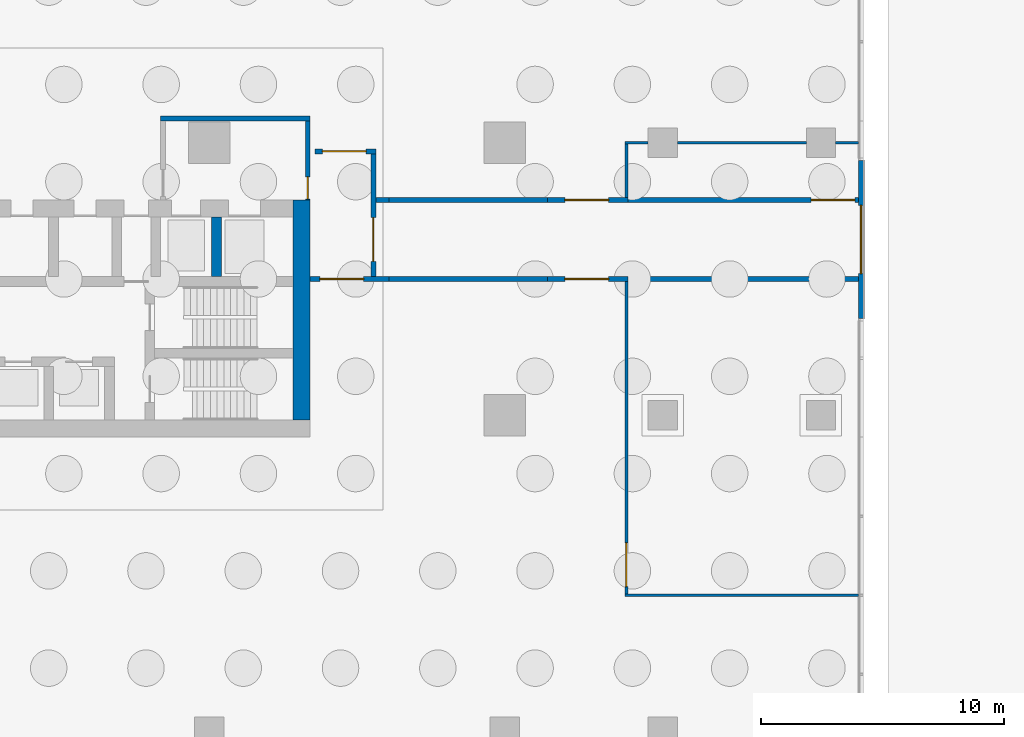
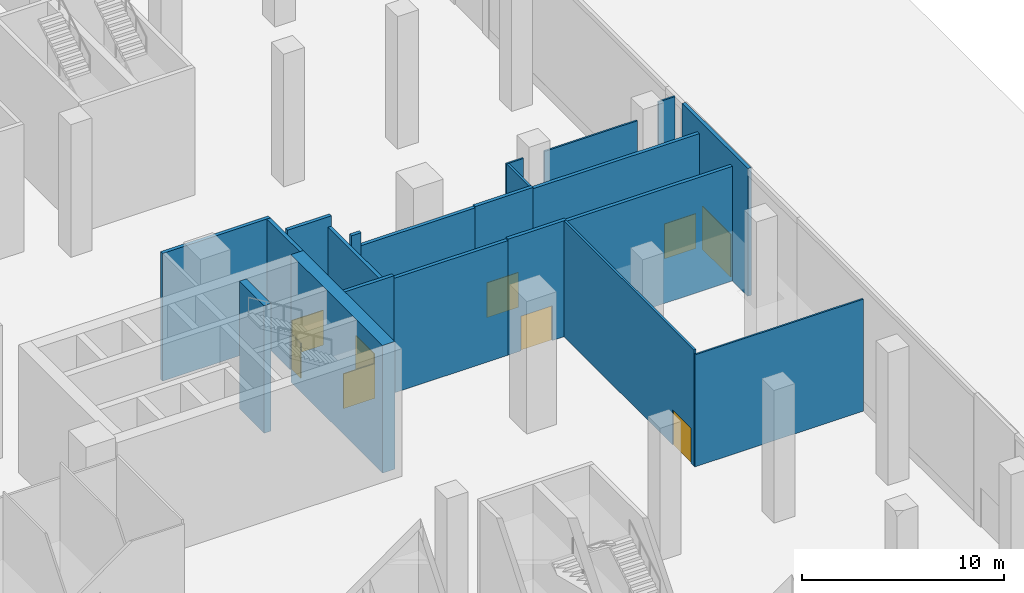
# One storey, part 21 of 27: 21 walls, 9 doors, 9 openings.
"""IFC4 building model written with IfcOpenShell, lengths in metres."""

from ifc_helpers import new_model, si_unit, direction, frame, frame_2d, origin, place, context, subcontext, project, spatial, rectangle, extrude, source, transform, mapped, material, layer, layer_set, type_object, element, fill, save


model = new_model("IFC4")

# Units and contexts
model_context = context("Model", 3, precision=1e-05, world=origin(), true_north=direction((0.0, 1.0)))
body_context = subcontext(model_context, "Body", "Model", "MODEL_VIEW")
ifc_project = project(units=[si_unit("LENGTHUNIT", "METRE"), si_unit("AREAUNIT", "SQUARE_METRE"), si_unit("VOLUMEUNIT", "CUBIC_METRE"), si_unit("PLANEANGLEUNIT", "RADIAN"), si_unit("MASSUNIT", "GRAM", prefix="KILO")], contexts=[model_context])

# Site, building, storey
site_placement = place(None, origin())
site = spatial("IfcSite", under=ifc_project, at=site_placement, CompositionType="ELEMENT")
building_placement = place(site_placement, origin())
building = spatial("IfcBuilding", under=site, at=building_placement, Name="Trellis Farm Tower", CompositionType="ELEMENT")
storey_placement = place(building_placement, origin())
storey = spatial("IfcBuildingStorey", under=building, at=storey_placement, Name="L00", CompositionType="ELEMENT", Elevation=0.0)

# Walls
ifc_material_1 = material(Name="Plasterboard on steel studs, mineral wool", Category="steel")
ifc_layer_1 = layer(ifc_material_1, 0.125)
ifc_layer_set_1 = layer_set([ifc_layer_1], Name="PARTITION 125 STUD EI 60")
wall_type_1 = type_object("IfcWallType", Name="PARTITION 125 STUD EI 60", PredefinedType="PARTITIONING", material=ifc_layer_set_1)
wall_1_placement = place(storey_placement, frame((35.75, 5.550048828125, 0.0), z_axis=(0.0, 0.0, 1.0), x_axis=(0.0, -1.0, 0.0)))
element("IfcWall", 1, at=wall_1_placement, inside=storey, type_object=wall_type_1, Name="Partition PW1", PredefinedType="PARTITIONING", context=body_context, shape_type="SweptSolid", body=[
    extrude(rectangle(XDim=2.199951171875, YDim=0.125, at=frame_2d((1.10009765625, 0.0))), origin(), (0.0, 0.0, 1.0), 6.99658203125),
])
ifc_material_2 = material(Name="Concrete C80/95", Category="concrete")
ifc_layer_2 = layer(ifc_material_2, 0.699951171875)
ifc_layer_set_2 = layer_set([ifc_layer_2], Name="CORE OUTER WALL 700 CONCRETE C80/95")
wall_type_2 = type_object("IfcWallType", Name="CORE OUTER WALL 700 CONCRETE C80/95", PredefinedType="SHEAR", material=ifc_layer_set_2)
shared_shape_1 = source(origin(), body_context, "Body", "SweptSolid", [
    extrude(rectangle(XDim=9.050048828125, YDim=0.699951171875, at=frame_2d((4.52490234375, 0.0))), origin(), (0.0, 0.0, 1.0), 7.699951171875),
])
wall_2_placement = place(storey_placement, frame((22.39990234375, -5.800048828125, 0.0), z_axis=(0.0, 0.0, 1.0), x_axis=(0.0, 1.0, 0.0)))
element("IfcWall", 2, at=wall_2_placement, inside=storey, type_object=wall_type_2, Name="Core wall", PredefinedType="SHEAR", context=body_context, shape_type="MappedRepresentation", body=[
    mapped(shared_shape_1, transform((0.0, 0.0, 0.0))),
])
ifc_layer_3 = layer(ifc_material_2, 0.39990234375)
ifc_layer_set_3 = layer_set([ifc_layer_3], Name="CORE INNER WALL 400 CONCRETE C80/95")
wall_type_3 = type_object("IfcWallType", Name="CORE INNER WALL 400 CONCRETE C80/95", PredefinedType="SHEAR", material=ifc_layer_set_3)
shared_shape_2 = source(origin(), body_context, "Body", "SweptSolid", [
    extrude(rectangle(XDim=2.449951171875, YDim=0.39990234375, at=frame_2d((1.22509765625, 0.0))), origin(), (0.0, 0.0, 1.0), 7.699951171875),
])
wall_3_placement = place(storey_placement, frame((18.89990234375, 0.10009765625, 0.0), z_axis=(0.0, 0.0, 1.0), x_axis=(0.0, 1.0, 0.0)))
element("IfcWall", 3, at=wall_3_placement, inside=storey, type_object=wall_type_3, Name="Core wall", PredefinedType="SHEAR", context=body_context, shape_type="MappedRepresentation", body=[
    mapped(shared_shape_2, transform((0.0, 0.0, 0.0))),
])

# Wall, opening, door
ifc_material_3 = material(Name="Masonry blockwork", Category="masonry")
ifc_layer_4 = layer(ifc_material_3, 0.199951171875)
ifc_layer_set_4 = layer_set([ifc_layer_4], Name="FIRE LOBBY PARTITION 200 BLOCKWORK")
wall_type_4 = type_object("IfcWallType", Name="FIRE LOBBY PARTITION 200 BLOCKWORK", PredefinedType="PARTITIONING", material=ifc_layer_set_4)
shared_shape_3 = source(origin(), body_context, "Body", "SweptSolid", [
    extrude(rectangle(XDim=3.25, YDim=0.199951171875, at=frame_2d((1.625, 0.0))), origin(), (0.0, 0.0, 1.0), 7.699951171875),
])
wall_4_placement = place(storey_placement, frame((22.64990234375, 3.25, 0.0), z_axis=(0.0, 0.0, 1.0), x_axis=(0.0, 1.0, 0.0)))
wall_4 = element("IfcWall", 4, at=wall_4_placement, inside=storey, type_object=wall_type_4, Name="Fire-fighting lobby partition", PredefinedType="PARTITIONING", context=body_context, shape_type="MappedRepresentation", body=[
    mapped(shared_shape_3, transform((0.0, 0.0, 0.0))),
])
shared_shape_4 = source(origin(), body_context, "Body", "SweptSolid", [
    extrude(rectangle(XDim=0.89990234375, YDim=2.10009765625, at=frame_2d((0.449951171875, 1.050048828125))), frame((0.0, 0.110107421875, 0.0), z_axis=(0.0, -1.0, 0.0), x_axis=(1.0, 0.0, 0.0)), (0.0, 0.0, 1.0), 0.22021484375),
])
opening_1_placement = place(wall_4_placement, frame((0.050048828125, 0.0, 0.0)))
opening_1 = element("IfcOpeningElement", 5, at=opening_1_placement, cuts=wall_4, Name="Opening DC8", PredefinedType="OPENING", context=body_context, shape_type="MappedRepresentation", body=[
    mapped(shared_shape_4, transform((0.0, 0.0, 0.0))),
])
ifc_material_4 = material(Name="Steel", Category="steel")
door_type_1 = type_object("IfcDoorType", Name="CORE FIRE DOOR 900 X 2100", OperationType="NOTDEFINED", PredefinedType="DOOR", material=ifc_material_4)
shared_shape_5 = source(origin(), body_context, "Body", "SweptSolid", [
    extrude(rectangle(XDim=0.89990234375, YDim=2.10009765625, at=frame_2d((0.449951171875, 1.050048828125))), frame((0.0, 0.02490234375, 0.0), z_axis=(0.0, -1.0, 0.0), x_axis=(1.0, 0.0, 0.0)), (0.0, 0.0, 1.0), 0.050048828125),
])
door_1_placement = place(opening_1_placement, origin())
door_1 = element("IfcDoor", 6, at=door_1_placement, inside=storey, type_object=door_type_1, Name="Core door", OperationType="SINGLE_SWING_RIGHT", OverallHeight=2.10009765625, OverallWidth=0.89990234375, PredefinedType="DOOR", context=body_context, shape_type="MappedRepresentation", body=[
    mapped(shared_shape_5, transform((0.0, 0.0, 0.0))),
])
fill(opening_1, door_1)

# Wall
shared_shape_6 = source(origin(), body_context, "Body", "SweptSolid", [
    extrude(rectangle(XDim=6.14990234375, YDim=0.199951171875, at=frame_2d((3.074951171875, 0.0))), origin(), (0.0, 0.0, 1.0), 7.699951171875),
])
wall_5_placement = place(storey_placement, frame((16.60009765625, 6.60009765625, 0.0), z_axis=(0.0, 0.0, 1.0), x_axis=(1.0, 0.0, 0.0)))
element("IfcWall", 7, at=wall_5_placement, inside=storey, type_object=wall_type_4, Name="Fire-fighting lobby partition", PredefinedType="PARTITIONING", context=body_context, shape_type="MappedRepresentation", body=[
    mapped(shared_shape_6, transform((0.0, 0.0, 0.0))),
])

# Wall, opening, door
ifc_material_5 = material(Name="Sandstone faced insulated wall", Category="masonry")
ifc_layer_5 = layer(ifc_material_5, 0.199951171875)
ifc_layer_set_5 = layer_set([ifc_layer_5], Name="EXTERNAL INFILL WALL 200")
wall_type_5 = type_object("IfcWallType", Name="EXTERNAL INFILL WALL 200", PredefinedType="SOLIDWALL", material=ifc_layer_set_5)
shared_shape_7 = source(origin(), body_context, "Body", "SweptSolid", [
    extrude(rectangle(XDim=6.5, YDim=0.199951171875, at=frame_2d((3.25, 0.0))), origin(), (0.0, 0.0, 1.0), 7.699951171875),
])
wall_6_placement = place(storey_placement, frame((45.39990234375, 4.875, 0.0), z_axis=(0.0, 0.0, 1.0), x_axis=(0.0, -1.0, 0.0)))
wall_6 = element("IfcWall", 8, at=wall_6_placement, inside=storey, type_object=wall_type_5, Name="EW1 02", PredefinedType="SOLIDWALL", context=body_context, shape_type="MappedRepresentation", body=[
    mapped(shared_shape_7, transform((0.0, 0.0, 0.0))),
])
shared_shape_8 = source(origin(), body_context, "Body", "SweptSolid", [
    extrude(rectangle(XDim=2.800048828125, YDim=2.60009765625, at=frame_2d((1.39990234375, 1.300048828125))), frame((0.0, 0.110107421875, 0.0), z_axis=(0.0, -1.0, 0.0), x_axis=(1.0, 0.0, 0.0)), (0.0, 0.0, 1.0), 0.22021484375),
])
opening_2_placement = place(wall_6_placement, frame((1.85009765625, 0.0, 0.0)))
opening_2 = element("IfcOpeningElement", 9, at=opening_2_placement, cuts=wall_6, Name="Opening ED3", PredefinedType="OPENING", context=body_context, shape_type="MappedRepresentation", body=[
    mapped(shared_shape_8, transform((0.0, 0.0, 0.0))),
])
ifc_material_6 = material(Name="Aluminium framed glazed door", Category="aluminium")
door_type_2 = type_object("IfcDoorType", Name="ENTRANCE DOOR 2800x2600", OperationType="DOUBLE_DOOR_SINGLE_SWING", PredefinedType="DOOR", material=ifc_material_6)
shared_shape_9 = source(origin(), body_context, "Body", "SweptSolid", [
    extrude(rectangle(XDim=2.800048828125, YDim=2.60009765625, at=frame_2d((1.39990234375, 1.300048828125))), frame((0.0, 0.02490234375, 0.0), z_axis=(0.0, -1.0, 0.0), x_axis=(1.0, 0.0, 0.0)), (0.0, 0.0, 1.0), 0.050048828125),
])
door_2_placement = place(opening_2_placement, origin())
door_2 = element("IfcDoor", 10, at=door_2_placement, inside=storey, type_object=door_type_2, Name="Entrance door", OperationType="DOUBLE_DOOR_SINGLE_SWING", OverallHeight=2.60009765625, OverallWidth=2.800048828125, PredefinedType="DOOR", context=body_context, shape_type="MappedRepresentation", body=[
    mapped(shared_shape_9, transform((0.0, 0.0, 0.0))),
])
fill(opening_2, door_2)

ifc_material_7 = material(Name="Lightweight blockwork, plastered", Category="masonry")
ifc_layer_6 = layer(ifc_material_7, 0.199951171875)
ifc_layer_set_6 = layer_set([ifc_layer_6], Name="BLOCK WALL 200 EI 120")
wall_type_6 = type_object("IfcWallType", Name="BLOCK WALL 200 EI 120", PredefinedType="PARTITIONING", material=ifc_layer_set_6)
shared_shape_10 = source(origin(), body_context, "Body", "SweptSolid", [
    extrude(rectangle(XDim=5.0498046875, YDim=0.199951171875, at=frame_2d((2.52490234375, 0.0))), origin(), (0.0, 0.0, 1.0), 7.077392578125),
])
wall_7_placement = place(storey_placement, frame((25.35009765625, 5.14990234375, 0.0), z_axis=(0.0, 0.0, 1.0), x_axis=(0.0, -1.0, 0.0)))
wall_7 = element("IfcWall", 11, at=wall_7_placement, inside=storey, type_object=wall_type_6, Name="Partition PW3", PredefinedType="PARTITIONING", context=body_context, shape_type="MappedRepresentation", body=[
    mapped(shared_shape_10, transform((0.0, 0.0, 0.0))),
])
shared_shape_11 = source(origin(), body_context, "Body", "SweptSolid", [
    extrude(rectangle(XDim=1.800048828125, YDim=2.10009765625, at=frame_2d((0.89990234375, 1.050048828125))), frame((0.0, 0.110107421875, 0.0), z_axis=(0.0, -1.0, 0.0), x_axis=(1.0, 0.0, 0.0)), (0.0, 0.0, 1.0), 0.22021484375),
])
opening_3_placement = place(wall_7_placement, frame((2.625, 0.0, 0.0)))
opening_3 = element("IfcOpeningElement", 12, at=opening_3_placement, cuts=wall_7, Name="Opening D419", PredefinedType="OPENING", context=body_context, shape_type="MappedRepresentation", body=[
    mapped(shared_shape_11, transform((0.0, 0.0, 0.0))),
])
ifc_material_8 = material(Name="Fire-rated timber door leaf in a hollow metal frame", Category="wood")
door_type_3 = type_object("IfcDoorType", Name="DOOR PAIR 1800x2100 FD60", OperationType="NOTDEFINED", PredefinedType="DOOR", material=ifc_material_8)
shared_shape_12 = source(origin(), body_context, "Body", "SweptSolid", [
    extrude(rectangle(XDim=1.800048828125, YDim=2.10009765625, at=frame_2d((0.89990234375, 1.050048828125))), frame((0.0, 0.02490234375, 0.0), z_axis=(0.0, -1.0, 0.0), x_axis=(1.0, 0.0, 0.0)), (0.0, 0.0, 1.0), 0.050048828125),
])
door_3_placement = place(opening_3_placement, origin())
door_3 = element("IfcDoor", 13, at=door_3_placement, inside=storey, type_object=door_type_3, Name="Door D419", OperationType="DOUBLE_DOOR_SINGLE_SWING", OverallHeight=2.10009765625, OverallWidth=1.800048828125, PredefinedType="DOOR", context=body_context, shape_type="MappedRepresentation", body=[
    mapped(shared_shape_12, transform((0.0, 0.0, 0.0))),
])
fill(opening_3, door_3)

shared_shape_13 = source(origin(), body_context, "Body", "SweptSolid", [
    extrude(rectangle(XDim=12.849853515625, YDim=0.125, at=frame_2d((6.4248046875, 0.0))), origin(), (0.0, 0.0, 1.0), 6.99658203125),
])
wall_8_placement = place(storey_placement, frame((35.75, -0.10009765625, 0.0), z_axis=(0.0, 0.0, 1.0), x_axis=(0.0, -1.0, 0.0)))
wall_8 = element("IfcWall", 14, at=wall_8_placement, inside=storey, type_object=wall_type_1, Name="Partition PW1", PredefinedType="PARTITIONING", context=body_context, shape_type="MappedRepresentation", body=[
    mapped(shared_shape_13, transform((0.0, 0.0, 0.0))),
])
shared_shape_14 = source(origin(), body_context, "Body", "SweptSolid", [
    extrude(rectangle(XDim=1.800048828125, YDim=2.10009765625, at=frame_2d((0.89990234375, 1.050048828125))), frame((0.0, 0.072509765625, 0.0), z_axis=(0.0, -1.0, 0.0), x_axis=(1.0, 0.0, 0.0)), (0.0, 0.0, 1.0), 0.14501953125),
])
opening_4_placement = place(wall_8_placement, frame((10.75, 0.0, 0.0)))
opening_4 = element("IfcOpeningElement", 15, at=opening_4_placement, cuts=wall_8, Name="Opening D202", PredefinedType="OPENING", context=body_context, shape_type="MappedRepresentation", body=[
    mapped(shared_shape_14, transform((0.0, 0.0, 0.0))),
])
door_type_4 = type_object("IfcDoorType", Name="DOOR PAIR 1800x2100 FD30S", OperationType="NOTDEFINED", PredefinedType="DOOR", material=ifc_material_8)
door_4_placement = place(opening_4_placement, origin())
door_4 = element("IfcDoor", 16, at=door_4_placement, inside=storey, type_object=door_type_4, Name="Door D202", OperationType="DOUBLE_DOOR_SINGLE_SWING", OverallHeight=2.10009765625, OverallWidth=1.800048828125, PredefinedType="DOOR", context=body_context, shape_type="MappedRepresentation", body=[
    mapped(shared_shape_12, transform((0.0, 0.0, 0.0))),
])
fill(opening_4, door_4)

shared_shape_15 = source(origin(), body_context, "Body", "SweptSolid", [
    extrude(rectangle(XDim=3.3125, YDim=0.199951171875, at=frame_2d((1.65625, 0.0))), origin(), (0.0, 0.0, 1.0), 6.99658203125),
])
wall_9_placement = place(storey_placement, frame((35.8125, 0.0, 0.0), z_axis=(0.0, 0.0, 1.0), x_axis=(-1.0, 0.0, 0.0)))
wall_9 = element("IfcWall", 17, at=wall_9_placement, inside=storey, type_object=wall_type_6, Name="Partition PW3", PredefinedType="PARTITIONING", context=body_context, shape_type="MappedRepresentation", body=[
    mapped(shared_shape_15, transform((0.0, 0.0, 0.0))),
])
opening_5_placement = place(wall_9_placement, frame((0.78759765625, 0.0, 0.0)))
opening_5 = element("IfcOpeningElement", 18, at=opening_5_placement, cuts=wall_9, Name="Opening D418", PredefinedType="OPENING", context=body_context, shape_type="MappedRepresentation", body=[
    mapped(shared_shape_11, transform((0.0, 0.0, 0.0))),
])
door_5_placement = place(opening_5_placement, origin())
door_5 = element("IfcDoor", 19, at=door_5_placement, inside=storey, type_object=door_type_3, Name="Door D418", OperationType="DOUBLE_DOOR_SINGLE_SWING", OverallHeight=2.10009765625, OverallWidth=1.800048828125, PredefinedType="DOOR", context=body_context, shape_type="MappedRepresentation", body=[
    mapped(shared_shape_12, transform((0.0, 0.0, 0.0))),
])
fill(opening_5, door_5)

wall_10_placement = place(storey_placement, frame((32.5, 3.25, 0.0), z_axis=(0.0, 0.0, 1.0), x_axis=(1.0, 0.0, 0.0)))
wall_10 = element("IfcWall", 20, at=wall_10_placement, inside=storey, type_object=wall_type_6, Name="Partition PW3", PredefinedType="PARTITIONING", context=body_context, shape_type="MappedRepresentation", body=[
    mapped(shared_shape_15, transform((0.0, 0.0, 0.0))),
])
opening_6_placement = place(wall_10_placement, frame((0.72509765625, 0.0, 0.0)))
opening_6 = element("IfcOpeningElement", 21, at=opening_6_placement, cuts=wall_10, Name="Opening D420", PredefinedType="OPENING", context=body_context, shape_type="MappedRepresentation", body=[
    mapped(shared_shape_11, transform((0.0, 0.0, 0.0))),
])
door_6_placement = place(opening_6_placement, origin())
door_6 = element("IfcDoor", 22, at=door_6_placement, inside=storey, type_object=door_type_3, Name="Door D420", OperationType="DOUBLE_DOOR_SINGLE_SWING", OverallHeight=2.10009765625, OverallWidth=1.800048828125, PredefinedType="DOOR", context=body_context, shape_type="MappedRepresentation", body=[
    mapped(shared_shape_12, transform((0.0, 0.0, 0.0))),
])
fill(opening_6, door_6)

shared_shape_16 = source(origin(), body_context, "Body", "SweptSolid", [
    extrude(rectangle(XDim=3.25, YDim=0.199951171875, at=frame_2d((1.625, 0.0))), origin(), (0.0, 0.0, 1.0), 7.077392578125),
])
wall_11_placement = place(storey_placement, frame((26.0, 0.0, 0.0), z_axis=(0.0, 0.0, 1.0), x_axis=(-1.0, 0.0, 0.0)))
wall_11 = element("IfcWall", 23, at=wall_11_placement, inside=storey, type_object=wall_type_6, Name="Partition PW3", PredefinedType="PARTITIONING", context=body_context, shape_type="MappedRepresentation", body=[
    mapped(shared_shape_16, transform((0.0, 0.0, 0.0))),
])
opening_7_placement = place(wall_11_placement, frame((1.050048828125, 0.0, 0.0)))
opening_7 = element("IfcOpeningElement", 24, at=opening_7_placement, cuts=wall_11, Name="Opening D417", PredefinedType="OPENING", context=body_context, shape_type="MappedRepresentation", body=[
    mapped(shared_shape_11, transform((0.0, 0.0, 0.0))),
])
door_7_placement = place(opening_7_placement, origin())
door_7 = element("IfcDoor", 25, at=door_7_placement, inside=storey, type_object=door_type_3, Name="Door D417", OperationType="DOUBLE_DOOR_SINGLE_SWING", OverallHeight=2.10009765625, OverallWidth=1.800048828125, PredefinedType="DOOR", context=body_context, shape_type="MappedRepresentation", body=[
    mapped(shared_shape_12, transform((0.0, 0.0, 0.0))),
])
fill(opening_7, door_7)

# Walls
shared_shape_17 = source(origin(), body_context, "Body", "SweptSolid", [
    extrude(rectangle(XDim=6.5, YDim=0.199951171875, at=frame_2d((3.25, 0.0))), origin(), (0.0, 0.0, 1.0), 6.917724609375),
])
for number, where, z_axis, x_axis, name in (
    (26, (32.5, 0.0, 0.0), (0.0, 0.0, 1.0), (-1.0, 0.0, 0.0), "Partition PW3"),
    (27, (26.0, 3.25, 0.0), (0.0, 0.0, 1.0), (1.0, 0.0, 0.0), "Partition PW3"),
):
    element("IfcWall", number, at=place(storey_placement, frame(where, z_axis=z_axis, x_axis=x_axis)), inside=storey, type_object=wall_type_6, Name=name, PredefinedType="PARTITIONING", context=body_context, shape_type="MappedRepresentation", body=[
        mapped(shared_shape_17, transform((0.0, 0.0, 0.0))),
    ])
shared_shape_18 = source(origin(), body_context, "Body", "SweptSolid", [
    extrude(rectangle(XDim=9.612548828125, YDim=0.199951171875, at=frame_2d((4.80615234375, 0.0))), origin(), (0.0, 0.0, 1.0), 6.917724609375),
])
wall_12_placement = place(storey_placement, frame((45.300048828125, 0.0, 0.0), z_axis=(0.0, 0.0, 1.0), x_axis=(-1.0, 0.0, 0.0)))
element("IfcWall", 28, at=wall_12_placement, inside=storey, type_object=wall_type_6, Name="Partition PW3", PredefinedType="PARTITIONING", context=body_context, shape_type="MappedRepresentation", body=[
    mapped(shared_shape_18, transform((0.0, 0.0, 0.0))),
])

# Wall, opening, door
wall_13_placement = place(storey_placement, frame((35.6875, 3.25, 0.0), z_axis=(0.0, 0.0, 1.0), x_axis=(1.0, 0.0, 0.0)))
wall_13 = element("IfcWall", 29, at=wall_13_placement, inside=storey, type_object=wall_type_6, Name="Partition PW3", PredefinedType="PARTITIONING", context=body_context, shape_type="MappedRepresentation", body=[
    mapped(shared_shape_18, transform((0.0, 0.0, 0.0))),
])
opening_8_placement = place(wall_13_placement, frame((7.66259765625, 0.0, 0.0)))
opening_8 = element("IfcOpeningElement", 30, at=opening_8_placement, cuts=wall_13, Name="Opening D203", PredefinedType="OPENING", context=body_context, shape_type="MappedRepresentation", body=[
    mapped(shared_shape_11, transform((0.0, 0.0, 0.0))),
])
door_8_placement = place(opening_8_placement, origin())
door_8 = element("IfcDoor", 31, at=door_8_placement, inside=storey, type_object=door_type_4, Name="Door D203", OperationType="DOUBLE_DOOR_SINGLE_SWING", OverallHeight=2.10009765625, OverallWidth=1.800048828125, PredefinedType="DOOR", context=body_context, shape_type="MappedRepresentation", body=[
    mapped(shared_shape_12, transform((0.0, 0.0, 0.0))),
])
fill(opening_8, door_8)

# Wall
shared_shape_19 = source(origin(), body_context, "Body", "SweptSolid", [
    extrude(rectangle(XDim=0.550048828125, YDim=0.199951171875, at=frame_2d((0.27490234375, 0.0))), origin(), (0.0, 0.0, 1.0), 7.699951171875),
])
wall_14_placement = place(storey_placement, frame((25.449951171875, 3.25, 0.0), z_axis=(0.0, 0.0, 1.0), x_axis=(1.0, 0.0, 0.0)))
element("IfcWall", 32, at=wall_14_placement, inside=storey, type_object=wall_type_6, Name="Partition PW3", PredefinedType="PARTITIONING", context=body_context, shape_type="MappedRepresentation", body=[
    mapped(shared_shape_19, transform((0.0, 0.0, 0.0))),
])

# Wall, opening, door
shared_shape_20 = source(origin(), body_context, "Body", "SweptSolid", [
    extrude(rectangle(XDim=2.5, YDim=0.199951171875, at=frame_2d((1.25, 0.0))), origin(), (0.0, 0.0, 1.0), 7.699951171875),
])
wall_15_placement = place(storey_placement, frame((25.449951171875, 5.25, 0.0), z_axis=(0.0, 0.0, 1.0), x_axis=(-1.0, 0.0, 0.0)))
wall_15 = element("IfcWall", 33, at=wall_15_placement, inside=storey, type_object=wall_type_6, Name="Partition PW3", PredefinedType="PARTITIONING", context=body_context, shape_type="MappedRepresentation", body=[
    mapped(shared_shape_20, transform((0.0, 0.0, 0.0))),
])
opening_9_placement = place(wall_15_placement, frame((0.39990234375, 0.0, 0.0)))
opening_9 = element("IfcOpeningElement", 34, at=opening_9_placement, cuts=wall_15, Name="Opening D421", PredefinedType="OPENING", context=body_context, shape_type="MappedRepresentation", body=[
    mapped(shared_shape_11, transform((0.0, 0.0, 0.0))),
])
door_9_placement = place(opening_9_placement, origin())
door_9 = element("IfcDoor", 35, at=door_9_placement, inside=storey, type_object=door_type_3, Name="Door D421", OperationType="DOUBLE_DOOR_SINGLE_SWING", OverallHeight=2.10009765625, OverallWidth=1.800048828125, PredefinedType="DOOR", context=body_context, shape_type="MappedRepresentation", body=[
    mapped(shared_shape_12, transform((0.0, 0.0, 0.0))),
])
fill(opening_9, door_9)

# Walls
ifc_material_9 = material(Name="Plasterboard on steel studs", Category="steel")
ifc_layer_7 = layer(ifc_material_9, 0.10009765625)
ifc_layer_set_7 = layer_set([ifc_layer_7], Name="PARTITION 100 STUD EI 30")
wall_type_7 = type_object("IfcWallType", Name="PARTITION 100 STUD EI 30", PredefinedType="PARTITIONING", material=ifc_layer_set_7)
shared_shape_21 = source(origin(), body_context, "Body", "SweptSolid", [
    extrude(rectangle(XDim=0.96240234375, YDim=0.10009765625, at=frame_2d((0.481201171875, 0.0))), origin(), (0.0, 0.0, 1.0), 6.99658203125),
])
wall_16_placement = place(storey_placement, frame((35.6875, 5.60009765625, 0.0), z_axis=(0.0, 0.0, 1.0), x_axis=(1.0, 0.0, 0.0)))
element("IfcWall", 36, at=wall_16_placement, inside=storey, type_object=wall_type_7, Name="Partition PW2", PredefinedType="PARTITIONING", context=body_context, shape_type="MappedRepresentation", body=[
    mapped(shared_shape_21, transform((0.0, 0.0, 0.0))),
])
shared_shape_22 = source(origin(), body_context, "Body", "SweptSolid", [
    extrude(rectangle(XDim=5.2998046875, YDim=0.10009765625, at=frame_2d((2.64990234375, 0.0))), origin(), (0.0, 0.0, 1.0), 6.99658203125),
])
wall_17_placement = place(storey_placement, frame((37.85009765625, 5.60009765625, 0.0), z_axis=(0.0, 0.0, 1.0), x_axis=(1.0, 0.0, 0.0)))
element("IfcWall", 37, at=wall_17_placement, inside=storey, type_object=wall_type_7, Name="Partition PW2", PredefinedType="PARTITIONING", context=body_context, shape_type="MappedRepresentation", body=[
    mapped(shared_shape_22, transform((0.0, 0.0, 0.0))),
])
shared_shape_23 = source(origin(), body_context, "Body", "SweptSolid", [
    extrude(rectangle(XDim=0.949951171875, YDim=0.10009765625, at=frame_2d((0.47509765625, 0.0))), origin(), (0.0, 0.0, 1.0), 7.699951171875),
])
wall_18_placement = place(storey_placement, frame((44.35009765625, 5.60009765625, 0.0), z_axis=(0.0, 0.0, 1.0), x_axis=(1.0, 0.0, 0.0)))
element("IfcWall", 38, at=wall_18_placement, inside=storey, type_object=wall_type_7, Name="Partition PW2", PredefinedType="PARTITIONING", context=body_context, shape_type="MappedRepresentation", body=[
    mapped(shared_shape_23, transform((0.0, 0.0, 0.0))),
])
shared_shape_24 = source(origin(), body_context, "Body", "SweptSolid", [
    extrude(rectangle(XDim=9.612548828125, YDim=0.10009765625, at=frame_2d((4.80615234375, 0.0))), origin(), (0.0, 0.0, 1.0), 6.76171875),
])
wall_19_placement = place(storey_placement, frame((35.6875, -13.0, 0.0), z_axis=(0.0, 0.0, 1.0), x_axis=(1.0, 0.0, 0.0)))
element("IfcWall", 39, at=wall_19_placement, inside=storey, type_object=wall_type_7, Name="Partition PW2", PredefinedType="PARTITIONING", context=body_context, shape_type="MappedRepresentation", body=[
    mapped(shared_shape_24, transform((0.0, 0.0, 0.0))),
])

save(model, "model.ifc")
